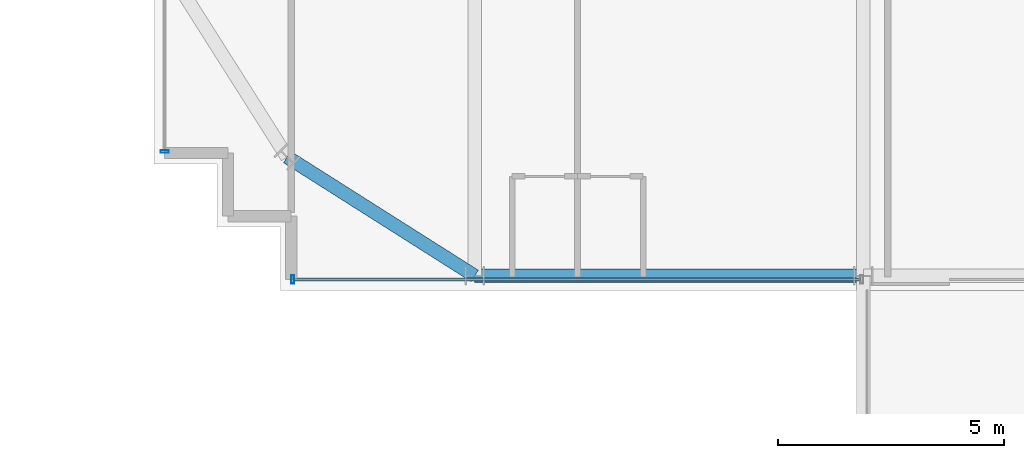
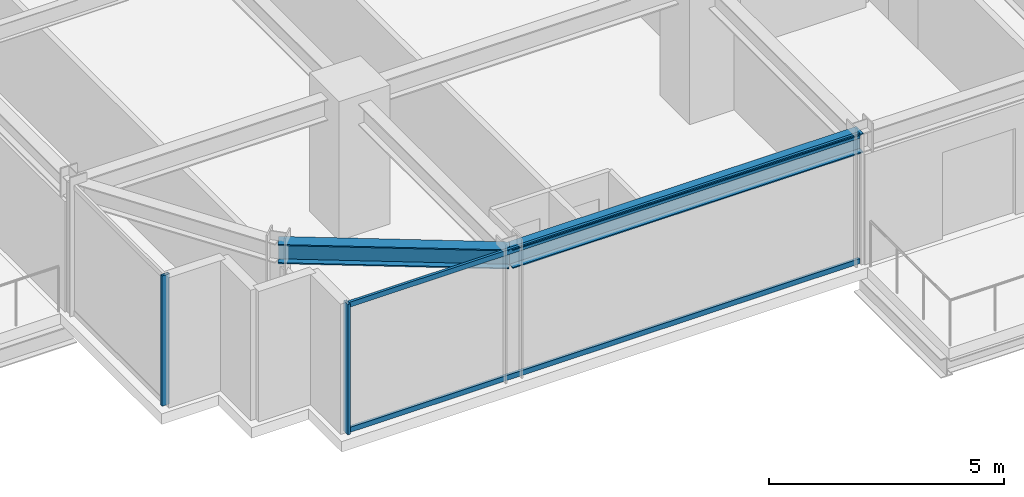
# One storey, part 2 of 31: 4 members, 2 beams, 2 elements without a shape of their own.
"""IFC4 building model written with IfcOpenShell, lengths in metres."""

import ifcopenshell
import ifcopenshell.guid

model = None  # the IFC model being written
_history = None  # IfcOwnerHistory: only IFC2X3 demands one
_inside = {}  # id of a spatial element -> (the spatial element, [elements in it])
_under = {}  # id of a project, library or spatial element -> (it, [spatial elements below it])
_declared = {}  # id of a project -> (the project, [libraries it declares])
_typed = {}  # id of a type object -> (the type object, [elements of that type])
_made_of = {}  # id of a material, layer set ... -> (it, [elements and type objects made of it])


def new_model(schema):
    """Start an empty IFC model of exactly this schema.

    Asked for "IFC4X3", IfcOpenShell would pick the latest addendum, in which some entities
    have other attributes; the version numbers below select the first issue.
    IFC2X3 requires an IfcOwnerHistory on every rooted entity: one is made here for all.
    """
    global model, _history
    if schema == "IFC4X3":
        model = ifcopenshell.file(schema_version=(4, 3, 0, 0))
    else:
        model = ifcopenshell.file(schema=schema)
    _inside.clear()
    _under.clear()
    _declared.clear()
    _typed.clear()
    _made_of.clear()
    _history = None
    if model.schema == "IFC2X3":
        org = make("IfcOrganization", Name="unknown")
        user = make(
            "IfcPersonAndOrganization",
            ThePerson=make("IfcPerson", FamilyName="unknown"),
            TheOrganization=org,
        )
        app = make(
            "IfcApplication",
            ApplicationDeveloper=org,
            Version="unknown",
            ApplicationFullName="unknown",
            ApplicationIdentifier="unknown",
        )
        _history = make(
            "IfcOwnerHistory",
            OwningUser=user,
            OwningApplication=app,
            ChangeAction="ADDED",
            CreationDate=0,
        )
    return model


def make(cls, **values):
    """One entity of the class cls with the attributes given. An attribute that is None is left unset."""
    return model.create_entity(
        cls, **{name: value for name, value in values.items() if value is not None}
    )


def rooted(cls, **values):
    """An entity with a GlobalId (a new one), such as an element, a storey or a relation."""
    return make(cls, GlobalId=ifcopenshell.guid.new(), OwnerHistory=_history, **values)


def si_unit(unit_type, name, prefix=None):
    """IfcSIUnit, for example si_unit("LENGTHUNIT", "METRE", prefix="MILLI")."""
    return make("IfcSIUnit", UnitType=unit_type, Prefix=prefix, Name=name)


def assignment(units):
    """IfcUnitAssignment: the units of a project."""
    return None if units is None else make("IfcUnitAssignment", Units=units)


def point(xyz):
    """IfcCartesianPoint."""
    return None if xyz is None else make("IfcCartesianPoint", Coordinates=xyz)


def direction(xyz):
    """IfcDirection."""
    return None if xyz is None else make("IfcDirection", DirectionRatios=xyz)


def frame(location, z_axis=None, x_axis=None):
    """IfcAxis2Placement3D, a coordinate frame: its origin and axes. An axis left out is left unset."""
    return make(
        "IfcAxis2Placement3D",
        Location=point(location),
        Axis=direction(z_axis),
        RefDirection=direction(x_axis),
    )


def frame_2d(location, x_axis=None):
    """IfcAxis2Placement2D, a coordinate frame in the plane: its origin and x axis."""
    return make(
        "IfcAxis2Placement2D", Location=point(location), RefDirection=direction(x_axis)
    )


def origin():
    """The frame at (0, 0, 0) with its axes left unset."""
    return frame((0.0, 0.0, 0.0))


def origin_2d():
    """The frame at (0, 0) in the plane with its x axis left unset."""
    return frame_2d((0.0, 0.0))


def place(relative_to, where):
    """IfcLocalPlacement: puts the frame where relative to a parent placement (None: the world)."""
    return make(
        "IfcLocalPlacement", PlacementRelTo=relative_to, RelativePlacement=where
    )


def context(
    kind, dimensions, precision=None, world=None, true_north=None, identifier=None
):
    """IfcGeometricRepresentationContext, for example the 3D "Model" context."""
    return make(
        "IfcGeometricRepresentationContext",
        ContextIdentifier=identifier,
        ContextType=kind,
        CoordinateSpaceDimension=dimensions,
        Precision=precision,
        WorldCoordinateSystem=world,
        TrueNorth=true_north,
    )


def subcontext(parent, identifier, kind, view, scale=None):
    """IfcGeometricRepresentationSubContext, for example "Body" below "Model"."""
    return make(
        "IfcGeometricRepresentationSubContext",
        ContextIdentifier=identifier,
        ContextType=kind,
        ParentContext=parent,
        TargetScale=scale,
        TargetView=view,
    )


def project(units=None, contexts=None):
    """IfcProject with its units and contexts."""
    return rooted(
        "IfcProject",
        Name="project",
        RepresentationContexts=contexts,
        UnitsInContext=assignment(units),
    )


def spatial(cls, under=None, at=None, **own):
    """A site, building, storey or space (cls), placed at a placement, below another one or the project."""
    s = rooted(cls, ObjectPlacement=at, **own)
    if under is not None:
        _under.setdefault(under.id(), (under, []))[1].append(s)
    return s


def profile(cls, at=None, kind="AREA", **sizes):
    """A parametric profile (cls). Its sizes go by their IFC names, for example OverallWidth=200.0."""
    return make(cls, ProfileType=kind, Position=at, **sizes)


def hollow_rectangle(**sizes):
    """IfcRectangleHollowProfileDef."""
    return profile("IfcRectangleHollowProfileDef", **sizes)


def i_section(**sizes):
    """IfcIShapeProfileDef."""
    return profile("IfcIShapeProfileDef", **sizes)


def extrude(swept, where, along, depth):
    """IfcExtrudedAreaSolid: the profile swept, set in the frame where, extruded along a direction by depth."""
    return make(
        "IfcExtrudedAreaSolid",
        SweptArea=swept,
        Position=where,
        ExtrudedDirection=direction(along),
        Depth=depth,
    )


def shape(context_of_items, identifier, shape_type, items):
    """IfcShapeRepresentation: the items that make up one representation, for example the "Body"."""
    return make(
        "IfcShapeRepresentation",
        ContextOfItems=context_of_items,
        RepresentationIdentifier=identifier,
        RepresentationType=shape_type,
        Items=items,
    )


def source(mapping_origin, context_of_items, identifier, shape_type, items):
    """IfcRepresentationMap: a shape defined once, which mapped items show again and again."""
    return make(
        "IfcRepresentationMap",
        MappingOrigin=mapping_origin,
        MappedRepresentation=shape(context_of_items, identifier, shape_type, items),
    )


def transform(
    local_origin,
    x_axis=None,
    y_axis=None,
    z_axis=None,
    scale=None,
    scale2=None,
    scale3=None,
    uniform=True,
):
    """IfcCartesianTransformationOperator3D, or its non-uniform kind. x_axis, y_axis, z_axis: its Axis1, 2, 3."""
    if uniform:
        return make(
            "IfcCartesianTransformationOperator3D",
            Axis1=direction(x_axis),
            Axis2=direction(y_axis),
            LocalOrigin=point(local_origin),
            Scale=scale,
            Axis3=direction(z_axis),
        )
    return make(
        "IfcCartesianTransformationOperator3DnonUniform",
        Axis1=direction(x_axis),
        Axis2=direction(y_axis),
        LocalOrigin=point(local_origin),
        Scale=scale,
        Axis3=direction(z_axis),
        Scale2=scale2,
        Scale3=scale3,
    )


def mapped(mapping_source, mapping_target):
    """IfcMappedItem: shows the shape of a source again, moved by a transform."""
    return make(
        "IfcMappedItem", MappingSource=mapping_source, MappingTarget=mapping_target
    )


def material(Name=None, Category=None):
    """IfcMaterial."""
    return make("IfcMaterial", Name=Name, Category=Category)


def material_profile(
    of_material, cross_section, Name=None, Category=None, Priority=None
):
    """IfcMaterialProfile: a cross section and its material."""
    return make(
        "IfcMaterialProfile",
        Name=Name,
        Material=of_material,
        Profile=cross_section,
        Priority=Priority,
        Category=Category,
    )


def profile_set(profiles, Name=None, composite=None):
    """IfcMaterialProfileSet."""
    return make(
        "IfcMaterialProfileSet",
        Name=Name,
        MaterialProfiles=profiles,
        CompositeProfile=composite,
    )


def made_of(thing, what):
    """Note that an element or type object is made of a material, layer set ...; save() writes the relation."""
    if what is not None:
        _made_of.setdefault(what.id(), (what, []))[1].append(thing)
    return thing


def type_object(cls, material=None, **own):
    """A type object (cls), such as IfcWallType, which elements share."""
    return made_of(rooted(cls, **own), material)


def element(
    cls,
    number,
    at=None,
    inside=None,
    cuts=None,
    type_object=None,
    material=None,
    context=None,
    identifier="Body",
    shape_type=None,
    held_by="IfcProductDefinitionShape",
    body=None,
    shapes=None,
    **own,
):
    """One element of the class cls, such as IfcWall. Its Tag is "e" and its number.

    at: its placement. inside: the storey or other place that contains it. cuts: it is an
    opening in that element (IfcRelVoidsElement). A single representation is given by context,
    identifier, shape_type and body (its items); several are given by shapes. held_by: the class
    of the entity that holds the representations. save() writes the other relations.
    """
    e = rooted(cls, Tag="e%d" % number, ObjectPlacement=at, **own)
    if body is not None:
        shapes = [shape(context, identifier, shape_type, body)]
    if shapes is not None:
        e.Representation = make(held_by, Representations=shapes)
    if inside is not None:
        _inside.setdefault(inside.id(), (inside, []))[1].append(e)
    if cuts is not None:
        rooted(
            "IfcRelVoidsElement", RelatingBuildingElement=cuts, RelatedOpeningElement=e
        )
    if type_object is not None:
        _typed.setdefault(type_object.id(), (type_object, []))[1].append(e)
    return made_of(e, material)


def aggregate(whole, parts):
    """IfcRelAggregates: a whole, such as a stair, and the parts it consists of."""
    return rooted("IfcRelAggregates", RelatingObject=whole, RelatedObjects=parts)


def save(model, path):
    """Write the relations noted so far, then the file.

    IfcRelAggregates (storeys below a building ...), IfcRelContainedInSpatialStructure (elements
    in a storey), IfcRelDefinesByType, IfcRelAssociatesMaterial and IfcRelDeclares: one each for
    every whole, place, type object, material and project.
    """
    for whole, parts in _under.values():
        aggregate(whole, parts)
    for where, things in _inside.values():
        rooted(
            "IfcRelContainedInSpatialStructure",
            RelatedElements=things,
            RelatingStructure=where,
        )
    for kind, things in _typed.values():
        rooted("IfcRelDefinesByType", RelatedObjects=things, RelatingType=kind)
    for what, things in _made_of.values():
        rooted("IfcRelAssociatesMaterial", RelatedObjects=things, RelatingMaterial=what)
    for by, libraries in _declared.values():
        rooted("IfcRelDeclares", RelatingContext=by, RelatedDefinitions=libraries)
    model.write(path)


model = new_model("IFC4")

# Units and contexts
model_context = context("Model", 3, precision=1e-05, world=origin(), true_north=direction((0.0, 1.0)))
body_context = subcontext(model_context, "Body", "Model", "MODEL_VIEW")
ifc_project = project(units=[si_unit("LENGTHUNIT", "METRE"), si_unit("AREAUNIT", "SQUARE_METRE"), si_unit("VOLUMEUNIT", "CUBIC_METRE"), si_unit("PLANEANGLEUNIT", "RADIAN"), si_unit("MASSUNIT", "GRAM", prefix="KILO")], contexts=[model_context])

# Site, building, storey
site_placement = place(None, origin())
site = spatial("IfcSite", under=ifc_project, at=site_placement, CompositionType="ELEMENT")
building_placement = place(site_placement, origin())
building = spatial("IfcBuilding", under=site, at=building_placement, Name="Nahalor Promenade Grand Hotel", CompositionType="ELEMENT")
storey_placement = place(building_placement, frame((0.0, 0.0, 95.60009765625)))
storey = spatial("IfcBuildingStorey", under=building, at=storey_placement, Name="L23", CompositionType="ELEMENT", Elevation=95.60009765625)

# Beams
ifc_material_1 = material(Name="Steel S355JR", Category="steel")
ifc_material_profile_1 = material_profile(ifc_material_1, i_section(OverallWidth=0.3, OverallDepth=0.5, WebThickness=0.0145, FlangeThickness=0.028, at=origin_2d()), Name="HEB 500")
ifc_profile_set_1 = profile_set([ifc_material_profile_1], Name="Steel S355JR")
beam_type = type_object("IfcBeamType", Name="Beam-Spandrel-HEB500", PredefinedType="SPANDREL", material=ifc_profile_set_1)
shared_shape_1 = source(origin(), body_context, "Body", "SweptSolid", [
    extrude(i_section(OverallWidth=0.3, OverallDepth=0.5, WebThickness=0.0145, FlangeThickness=0.028, at=origin_2d()), origin(), (0.0, 0.0, 1.0), 8.60009765625),
])
beam_1_placement = place(storey_placement, frame((-17.0, -23.780029296875, 3.1298828125), z_axis=(1.0, 0.0, 0.0), x_axis=(0.0, 1.0, 0.0)))
element("IfcBeam", 1, at=beam_1_placement, inside=storey, type_object=beam_type, Name="BM-L23-SP-S-0", PredefinedType="SPANDREL", context=body_context, shape_type="MappedRepresentation", body=[
    mapped(shared_shape_1, transform((0.0, 0.0, 0.0), scale=1.0)),
])
shared_shape_2 = source(origin(), body_context, "Body", "SweptSolid", [
    extrude(i_section(OverallWidth=0.3, OverallDepth=0.5, WebThickness=0.0145, FlangeThickness=0.028, at=origin_2d()), origin(), (0.0, 0.0, 1.0), 4.9130859375),
])
beam_2_placement = place(storey_placement, frame((-17.0, -23.780029296875, 3.1298828125), z_axis=(-0.844648325505, 0.535321591403, 0.0), x_axis=(-0.535321591403, -0.844648325505, 0.0)))
element("IfcBeam", 2, at=beam_2_placement, inside=storey, type_object=beam_type, Name="BM-L23-SPC-SW-1", PredefinedType="SPANDREL", context=body_context, shape_type="MappedRepresentation", body=[
    mapped(shared_shape_2, transform((0.0, 0.0, 0.0), scale=1.0)),
])

# Curtain wall, member
ifc_material_2 = material(Name="Anodised Bronze Aluminium EN AW-6063 T6", Category="aluminium")
curtain_wall_type = type_object("IfcCurtainWallType", Name="CW2 Typical Hotel Flush Bronze Unitised Curtain Wall", PredefinedType="USERDEFINED", material=ifc_material_2)
curtain_wall_1_placement = place(storey_placement, origin())
curtain_wall_1 = element("IfcCurtainWall", 3, at=curtain_wall_1_placement, inside=storey, type_object=curtain_wall_type, Name="L23 Curtain Wall CW-L23-S-1", ObjectType="UNITISED_CURTAIN_WALL", PredefinedType="USERDEFINED")
ifc_material_profile_2 = material_profile(ifc_material_2, hollow_rectangle(XDim=0.065, YDim=0.18, WallThickness=0.004, at=origin_2d()), Name="CWM 65x180x4")
ifc_profile_set_2 = profile_set([ifc_material_profile_2], Name="Anodised Bronze Aluminium EN AW-6063 T6")
member_type_1 = type_object("IfcMemberType", Name="CWM2 Typical Bronze Mullion 65x180", PredefinedType="MULLION", material=ifc_profile_set_2)
shared_shape_3 = source(origin(), body_context, "Body", "SweptSolid", [
    extrude(hollow_rectangle(XDim=0.065, YDim=0.18, WallThickness=0.004, at=origin_2d()), origin(), (0.0, 0.0, 1.0), 3.3798828125),
])
member_1_placement = place(storey_placement, frame((-21.027587890625, -23.860107421875, 0.0), z_axis=(0.0, 0.0, 1.0), x_axis=(1.0, 0.0, 0.0)))
member_1 = element("IfcMember", 4, at=member_1_placement, type_object=member_type_1, Name="CW-L23-S-1 Mullion 0", PredefinedType="MULLION", context=body_context, shape_type="MappedRepresentation", body=[
    mapped(shared_shape_3, transform((0.0, 0.0, 0.0), scale=1.0)),
])

curtain_wall_2_placement = place(storey_placement, origin())
curtain_wall_2 = element("IfcCurtainWall", 5, at=curtain_wall_2_placement, inside=storey, type_object=curtain_wall_type, Name="L23 Curtain Wall CW-L23-W-1", ObjectType="UNITISED_CURTAIN_WALL", PredefinedType="USERDEFINED")
member_2_placement = place(storey_placement, frame((-23.860107421875, -21.027587890625, 0.0), z_axis=(0.0, 0.0, 1.0), x_axis=(0.0, 1.0, 0.0)))
member_2 = element("IfcMember", 6, at=member_2_placement, type_object=member_type_1, Name="CW-L23-W-1 Mullion 0", PredefinedType="MULLION", context=body_context, shape_type="MappedRepresentation", body=[
    mapped(shared_shape_3, transform((0.0, 0.0, 0.0), scale=1.0)),
])
aggregate(curtain_wall_2, [member_2])

# Member
ifc_material_profile_3 = material_profile(ifc_material_2, hollow_rectangle(XDim=0.065, YDim=0.13, WallThickness=0.004, at=origin_2d()), Name="CWT 65x130x4")
ifc_profile_set_3 = profile_set([ifc_material_profile_3], Name="Anodised Bronze Aluminium EN AW-6063 T6")
member_type_2 = type_object("IfcMemberType", Name="CWT2 Typical Bronze Transom 65x130", PredefinedType="USERDEFINED", material=ifc_profile_set_3)
shared_shape_4 = source(origin(), body_context, "Body", "SweptSolid", [
    extrude(hollow_rectangle(XDim=0.065, YDim=0.13, WallThickness=0.004, at=origin_2d()), origin(), (0.0, 0.0, 1.0), 12.530029296875),
])
member_3_placement = place(storey_placement, frame((-20.9951171875, -23.860107421875, 0.06494140625), z_axis=(1.0, 0.0, 0.0), x_axis=(0.0, 1.0, 0.0)))
member_3 = element("IfcMember", 7, at=member_3_placement, type_object=member_type_2, Name="CW-L23-S-1 Transom 0-0", ObjectType="TRANSOM", PredefinedType="USERDEFINED", context=body_context, shape_type="MappedRepresentation", body=[
    mapped(shared_shape_4, transform((0.0, 0.0, 0.0), scale=1.0)),
])

member_4_placement = place(storey_placement, frame((-20.9951171875, -23.860107421875, 3.31494140625), z_axis=(1.0, 0.0, 0.0), x_axis=(0.0, 1.0, 0.0)))
member_4 = element("IfcMember", 8, at=member_4_placement, type_object=member_type_2, Name="CW-L23-S-1 Transom 0-1", ObjectType="TRANSOM", PredefinedType="USERDEFINED", context=body_context, shape_type="MappedRepresentation", body=[
    mapped(shared_shape_4, transform((0.0, 0.0, 0.0), scale=1.0)),
])

aggregate(curtain_wall_1, [member_1, member_3, member_4])

save(model, "model.ifc")
